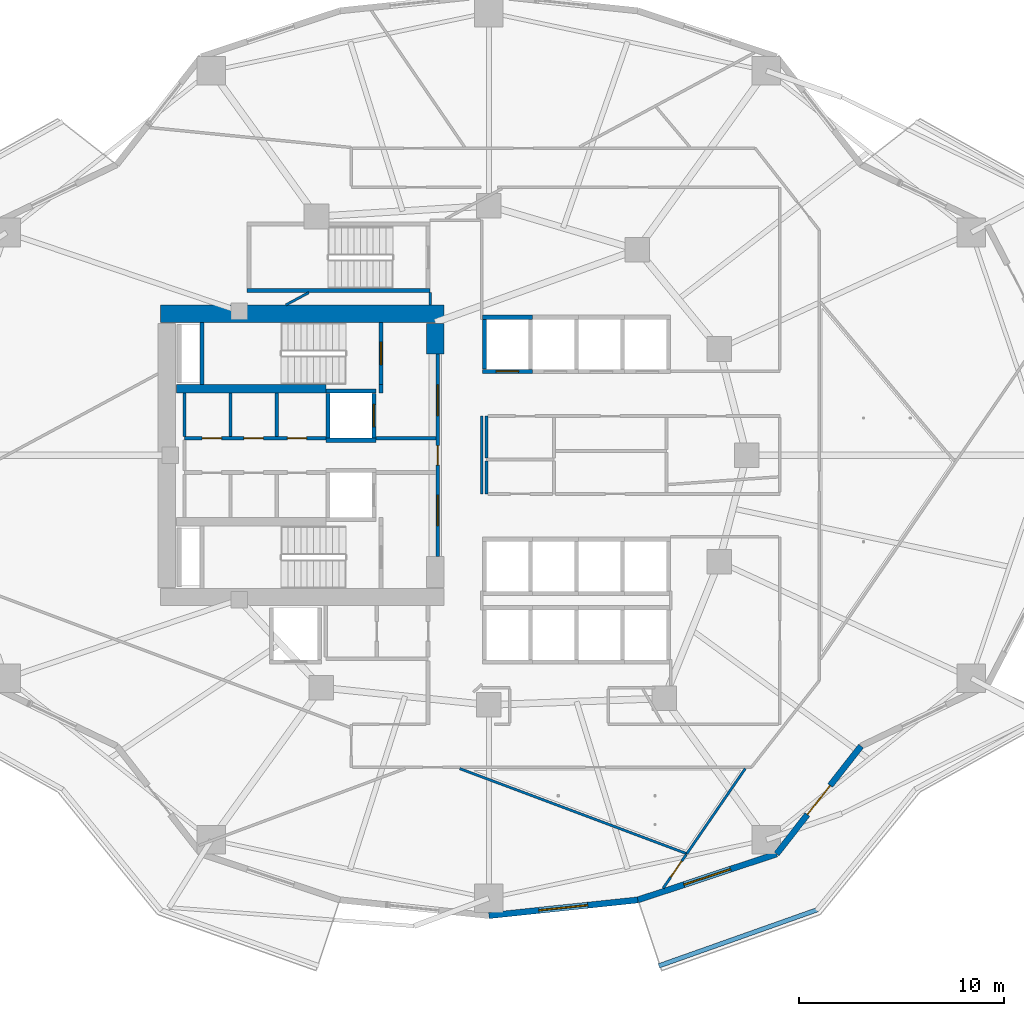
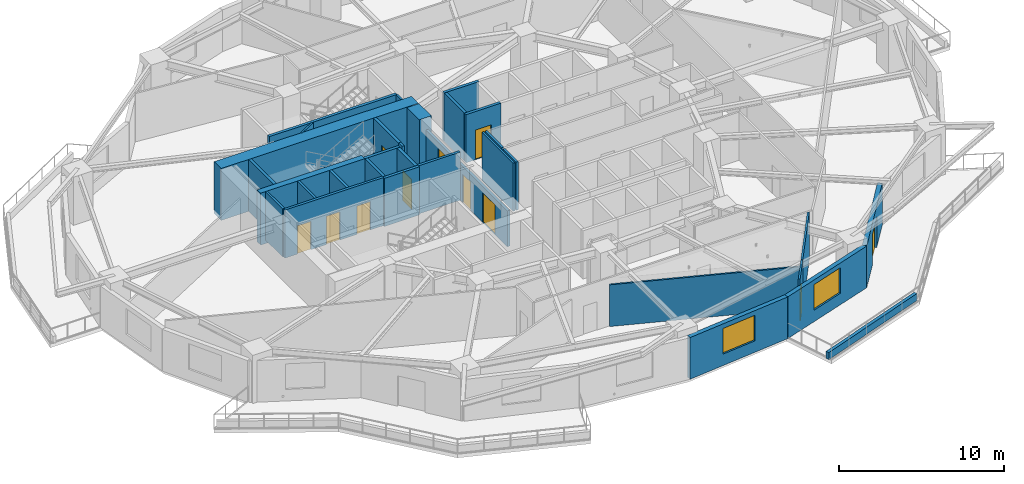
# One storey, part 4 of 16: 32 walls, 11 doors, 2 windows, 13 openings.
"""IFC4 building model written with IfcOpenShell, lengths in metres."""

from ifc_helpers import new_model, si_unit, direction, frame, frame_2d, origin, place, context, subcontext, project, spatial, rectangle, extrude, material, layer, layer_set, type_object, element, fill, save


model = new_model("IFC4")

# Units and contexts
model_context = context("Model", 3, precision=1e-05, world=origin(), true_north=direction((0.0, 1.0)))
body_context = subcontext(model_context, "Body", "Model", "MODEL_VIEW")
ifc_project = project(units=[si_unit("LENGTHUNIT", "METRE"), si_unit("AREAUNIT", "SQUARE_METRE"), si_unit("VOLUMEUNIT", "CUBIC_METRE"), si_unit("PLANEANGLEUNIT", "RADIAN"), si_unit("MASSUNIT", "GRAM", prefix="KILO")], contexts=[model_context])

# Site, building, storey
site_placement = place(None, origin())
site = spatial("IfcSite", under=ifc_project, at=site_placement, CompositionType="ELEMENT")
building_placement = place(site_placement, origin())
building = spatial("IfcBuilding", under=site, at=building_placement, Name="Kolvaren Gate Tower and Convention Centre", CompositionType="ELEMENT")
storey_placement = place(building_placement, frame((0.0, 0.0, 34.199951171875)))
storey = spatial("IfcBuildingStorey", under=building, at=storey_placement, Name="L07", CompositionType="ELEMENT", Elevation=34.199951171875)

# Wall
ifc_material_1 = material(Name="Autoclaved Aerated Masonry Blockwork Class 4 (4.0 MPa)", Category="masonry")
ifc_layer_1 = layer(ifc_material_1, 0.179931640625)
ifc_layer_set_1 = layer_set([ifc_layer_1], Name="Autoclaved Aerated Masonry Blockwork Class 4 (4.0 MPa)")
wall_type_1 = type_object("IfcWallType", Name="ARCH-WL-COMP-180", PredefinedType="SOLIDWALL", material=ifc_layer_set_1)
wall_1_placement = place(storey_placement, frame((24.85009765625, 30.0400390625, 0.0), z_axis=(0.0, 0.0, 1.0), x_axis=(0.0, 1.0, 0.0)))
element("IfcWall", 1, at=wall_1_placement, inside=storey, type_object=wall_type_1, Name="Interior Partition WL-L07-INT-002", PredefinedType="SOLIDWALL", context=body_context, shape_type="SweptSolid", body=[
    extrude(rectangle(XDim=0.419921875, YDim=0.179931640625, at=frame_2d((0.2099609375, 0.0))), origin(), (0.0, 0.0, 1.0), 3.570068359375),
])

# Wall, openings, doors
wall_2_placement = place(storey_placement, frame((27.6201171875, 22.050048828125, 0.0), z_axis=(0.0, 0.0, 1.0), x_axis=(0.0, 1.0, 0.0)))
wall_2 = element("IfcWall", 2, at=wall_2_placement, inside=storey, type_object=wall_type_1, Name="Interior Partition WL-L07-INT-003", PredefinedType="SOLIDWALL", context=body_context, shape_type="SweptSolid", body=[
    extrude(rectangle(XDim=9.89990234375, YDim=0.179931640625, at=frame_2d((4.949951171875, 0.0))), origin(), (0.0, 0.0, 1.0), 2.662109375),
])
opening_1_placement = place(wall_2_placement, frame((4.47509765625, 0.0, 0.0)))
opening_1 = element("IfcOpeningElement", 3, at=opening_1_placement, cuts=wall_2, Name="Opening DR-01", PredefinedType="OPENING", context=body_context, shape_type="SweptSolid", body=[
    extrude(rectangle(XDim=0.949951171875, YDim=2.10009765625, at=frame_2d((0.47509765625, 1.050048828125))), frame((0.0, 0.099853515625, 0.0), z_axis=(0.0, -1.0, 0.0), x_axis=(1.0, 0.0, 0.0)), (0.0, 0.0, 1.0), 0.199951171875),
])
opening_2_placement = place(wall_2_placement, frame((6.889892578125, 0.0, 0.0)))
opening_2 = element("IfcOpeningElement", 4, at=opening_2_placement, cuts=wall_2, Name="Opening DL-01", PredefinedType="OPENING", context=body_context, shape_type="SweptSolid", body=[
    extrude(rectangle(XDim=1.5, YDim=2.199951171875, at=frame_2d((0.75, 1.10009765625))), frame((0.0, 0.099853515625, 0.0), z_axis=(0.0, -1.0, 0.0), x_axis=(1.0, 0.0, 0.0)), (0.0, 0.0, 1.0), 0.199951171875),
])
opening_3_placement = place(wall_2_placement, frame((1.510009765625, 0.0, 0.0)))
opening_3 = element("IfcOpeningElement", 5, at=opening_3_placement, cuts=wall_2, Name="Opening DL-01", PredefinedType="OPENING", context=body_context, shape_type="SweptSolid", body=[
    extrude(rectangle(XDim=1.5, YDim=2.199951171875, at=frame_2d((0.75, 1.10009765625))), frame((0.0, 0.099853515625, 0.0), z_axis=(0.0, -1.0, 0.0), x_axis=(1.0, 0.0, 0.0)), (0.0, 0.0, 1.0), 0.199951171875),
])
ifc_material_2 = material(Name="Painted Architectural Steelwork ASTM A500 Grade C 345 MPa", Category="steel")
door_type_1 = type_object("IfcDoorType", Name="ARCH-DR-LOBBY-1500", OperationType="DOUBLE_DOOR_SINGLE_SWING", PredefinedType="DOOR", material=ifc_material_2)
door_1_placement = place(opening_2_placement, origin())
door_1 = element("IfcDoor", 6, at=door_1_placement, inside=storey, type_object=door_type_1, Name="North Firefighting Stair and Lift Lobby Door", OperationType="DOUBLE_DOOR_SINGLE_SWING", OverallHeight=2.199951171875, OverallWidth=1.5, PredefinedType="DOOR", context=body_context, shape_type="SweptSolid", body=[
    extrude(rectangle(XDim=1.5, YDim=2.199951171875, at=frame_2d((0.75, 1.10009765625))), frame((0.0, 0.02490234375, 0.0), z_axis=(0.0, -1.0, 0.0), x_axis=(1.0, 0.0, 0.0)), (0.0, 0.0, 1.0), 0.050048828125),
])
fill(opening_2, door_1)
door_2_placement = place(opening_3_placement, origin())
door_2 = element("IfcDoor", 7, at=door_2_placement, inside=storey, type_object=door_type_1, Name="South Firefighting Stair and Lift Lobby Door", OperationType="DOUBLE_DOOR_SINGLE_SWING", OverallHeight=2.199951171875, OverallWidth=1.5, PredefinedType="DOOR", context=body_context, shape_type="SweptSolid", body=[
    extrude(rectangle(XDim=1.5, YDim=2.199951171875, at=frame_2d((0.75, 1.10009765625))), frame((0.0, 0.02490234375, 0.0), z_axis=(0.0, -1.0, 0.0), x_axis=(1.0, 0.0, 0.0)), (0.0, 0.0, 1.0), 0.050048828125),
])
fill(opening_3, door_2)
door_type_2 = type_object("IfcDoorType", Name="ARCH-DR-RISER-950", OperationType="SINGLE_SWING_RIGHT", PredefinedType="DOOR", material=ifc_material_2)
door_3_placement = place(opening_1_placement, origin())
door_3 = element("IfcDoor", 8, at=door_3_placement, inside=storey, type_object=door_type_2, Name="Central MEP Service Corridor Door", OperationType="SINGLE_SWING_RIGHT", OverallHeight=2.10009765625, OverallWidth=0.949951171875, PredefinedType="DOOR", context=body_context, shape_type="SweptSolid", body=[
    extrude(rectangle(XDim=0.949951171875, YDim=2.10009765625, at=frame_2d((0.47509765625, 1.050048828125))), frame((0.0, 0.02490234375, 0.0), z_axis=(0.0, -1.0, 0.0), x_axis=(1.0, 0.0, 0.0)), (0.0, 0.0, 1.0), 0.050048828125),
])
fill(opening_1, door_3)

wall_3_placement = place(storey_placement, frame((15.25, 27.840087890625, 0.0), z_axis=(0.0, 0.0, 1.0), x_axis=(1.0, 0.0, 0.0)))
wall_3 = element("IfcWall", 9, at=wall_3_placement, inside=storey, type_object=wall_type_1, Name="Interior Partition WL-L07-INT-004", PredefinedType="SOLIDWALL", context=body_context, shape_type="SweptSolid", body=[
    extrude(rectangle(XDim=6.89990234375, YDim=0.179931640625, at=frame_2d((3.449951171875, 0.0))), origin(), (0.0, 0.0, 1.0), 3.570068359375),
])
opening_4_placement = place(wall_3_placement, frame((5.02001953125, 0.0, 0.0)))
opening_4 = element("IfcOpeningElement", 10, at=opening_4_placement, cuts=wall_3, Name="Opening DR-01", PredefinedType="OPENING", context=body_context, shape_type="SweptSolid", body=[
    extrude(rectangle(XDim=0.949951171875, YDim=2.10009765625, at=frame_2d((0.47509765625, 1.050048828125))), frame((0.0, 0.099853515625, 0.0), z_axis=(0.0, -1.0, 0.0), x_axis=(1.0, 0.0, 0.0)), (0.0, 0.0, 1.0), 0.199951171875),
])
opening_5_placement = place(wall_3_placement, frame((0.85498046875, 0.0, 0.0)))
opening_5 = element("IfcOpeningElement", 11, at=opening_5_placement, cuts=wall_3, Name="Opening DR-01", PredefinedType="OPENING", context=body_context, shape_type="SweptSolid", body=[
    extrude(rectangle(XDim=0.949951171875, YDim=2.10009765625, at=frame_2d((0.47509765625, 1.050048828125))), frame((0.0, 0.099853515625, 0.0), z_axis=(0.0, -1.0, 0.0), x_axis=(1.0, 0.0, 0.0)), (0.0, 0.0, 1.0), 0.199951171875),
])
opening_6_placement = place(wall_3_placement, frame((2.89990234375, 0.0, 0.0)))
opening_6 = element("IfcOpeningElement", 12, at=opening_6_placement, cuts=wall_3, Name="Opening DR-01", PredefinedType="OPENING", context=body_context, shape_type="SweptSolid", body=[
    extrude(rectangle(XDim=0.949951171875, YDim=2.10009765625, at=frame_2d((0.47509765625, 1.050048828125))), frame((0.0, 0.099853515625, 0.0), z_axis=(0.0, -1.0, 0.0), x_axis=(1.0, 0.0, 0.0)), (0.0, 0.0, 1.0), 0.199951171875),
])
door_4_placement = place(opening_4_placement, origin())
door_4 = element("IfcDoor", 13, at=door_4_placement, inside=storey, type_object=door_type_2, Name="Electrical Switchgear Closet Door", OperationType="SINGLE_SWING_LEFT", OverallHeight=2.10009765625, OverallWidth=0.949951171875, PredefinedType="DOOR", context=body_context, shape_type="SweptSolid", body=[
    extrude(rectangle(XDim=0.949951171875, YDim=2.10009765625, at=frame_2d((0.47509765625, 1.050048828125))), frame((0.0, 0.02490234375, 0.0), z_axis=(0.0, -1.0, 0.0), x_axis=(1.0, 0.0, 0.0)), (0.0, 0.0, 1.0), 0.050048828125),
])
fill(opening_4, door_4)
door_5_placement = place(opening_5_placement, origin())
door_5 = element("IfcDoor", 14, at=door_5_placement, inside=storey, type_object=door_type_2, Name="Staff Accessible WC Door", OperationType="SINGLE_SWING_LEFT", OverallHeight=2.10009765625, OverallWidth=0.949951171875, PredefinedType="DOOR", context=body_context, shape_type="SweptSolid", body=[
    extrude(rectangle(XDim=0.949951171875, YDim=2.10009765625, at=frame_2d((0.47509765625, 1.050048828125))), frame((0.0, 0.02490234375, 0.0), z_axis=(0.0, -1.0, 0.0), x_axis=(1.0, 0.0, 0.0)), (0.0, 0.0, 1.0), 0.050048828125),
])
fill(opening_5, door_5)
door_6_placement = place(opening_6_placement, origin())
door_6 = element("IfcDoor", 15, at=door_6_placement, inside=storey, type_object=door_type_2, Name="Housekeeping Sink Closet Door", OperationType="SINGLE_SWING_RIGHT", OverallHeight=2.10009765625, OverallWidth=0.949951171875, PredefinedType="DOOR", context=body_context, shape_type="SweptSolid", body=[
    extrude(rectangle(XDim=0.949951171875, YDim=2.10009765625, at=frame_2d((0.47509765625, 1.050048828125))), frame((0.0, 0.02490234375, 0.0), z_axis=(0.0, -1.0, 0.0), x_axis=(1.0, 0.0, 0.0)), (0.0, 0.0, 1.0), 0.050048828125),
])
fill(opening_6, door_6)

# Walls
wall_4_placement = place(storey_placement, frame((24.60009765625, 27.840087890625, 0.0), z_axis=(0.0, 0.0, 1.0), x_axis=(1.0, 0.0, 0.0)))
element("IfcWall", 16, at=wall_4_placement, inside=storey, type_object=wall_type_1, Name="Interior Partition WL-L07-INT-004 (2)", PredefinedType="SOLIDWALL", context=body_context, shape_type="SweptSolid", body=[
    extrude(rectangle(XDim=2.927978515625, YDim=0.179931640625, at=frame_2d((1.4638671875, 0.0))), origin(), (0.0, 0.0, 1.0), 3.570068359375),
])
wall_5_placement = place(storey_placement, frame((19.75, 27.931884765625, 0.0), z_axis=(0.0, 0.0, 1.0), x_axis=(0.0, 1.0, 0.0)))
element("IfcWall", 17, at=wall_5_placement, inside=storey, type_object=wall_type_1, Name="Interior Partition WL-L07-INT-008", PredefinedType="SOLIDWALL", context=body_context, shape_type="SweptSolid", body=[
    extrude(rectangle(XDim=2.106201171875, YDim=0.179931640625, at=frame_2d((1.05322265625, 0.0))), origin(), (0.0, 0.0, 1.0), 3.570068359375),
])
ifc_material_3 = material(Name="Fire-Rated Acoustic Gypsum Stud Partition", Category="gypsum")
ifc_layer_2 = layer(ifc_material_3, 0.1201171875)
ifc_layer_set_2 = layer_set([ifc_layer_2], Name="Fire-Rated Acoustic Gypsum Stud Partition")
wall_type_2 = type_object("IfcWallType", Name="ARCH-WL-PART-120", PredefinedType="PARTITIONING", material=ifc_layer_set_2)
wall_6_placement = place(storey_placement, frame((29.780029296875, 25.1201171875, 0.0), z_axis=(0.0, 0.0, 1.0), x_axis=(0.0, 1.0, 0.0)))
element("IfcWall", 18, at=wall_6_placement, inside=storey, type_object=wall_type_2, Name="Interior Partition WL-L07-INT-023", PredefinedType="PARTITIONING", context=body_context, shape_type="SweptSolid", body=[
    extrude(rectangle(XDim=3.7998046875, YDim=0.1201171875, at=frame_2d((1.89990234375, 0.0))), origin(), (0.0, 0.0, 1.0), 3.570068359375),
])
wall_7_placement = place(storey_placement, frame((27.25, 34.35205078125, 0.0), z_axis=(0.0, 0.0, 1.0), x_axis=(0.0, 1.0, 0.0)))
element("IfcWall", 19, at=wall_7_placement, inside=storey, type_object=wall_type_2, Name="Interior Partition WL-L07-INT-041", PredefinedType="PARTITIONING", context=body_context, shape_type="SweptSolid", body=[
    extrude(rectangle(XDim=0.60595703125, YDim=0.1201171875, at=frame_2d((0.302978515625, 0.0))), origin(), (0.0, 0.0, 1.0), 3.570068359375),
])
wall_8_placement = place(storey_placement, frame((20.198974609375, 34.35205078125, 0.0), z_axis=(0.0, 0.0, 1.0), x_axis=(0.880495630453, 0.474054263511, 0.0)))
element("IfcWall", 20, at=wall_8_placement, inside=storey, type_object=wall_type_2, Name="Interior Partition WL-L07-INT-051", PredefinedType="PARTITIONING", context=body_context, shape_type="SweptSolid", body=[
    extrude(rectangle(XDim=1.2783203125, YDim=0.1201171875, at=frame_2d((0.63916015625, 0.0))), origin(), (0.0, 0.0, 1.0), 3.570068359375),
])
wall_9_placement = place(storey_placement, frame((28.701904296875, 11.68798828125, 0.0), z_axis=(0.0, 0.0, 1.0), x_axis=(0.936344412232, -0.351082813139, 0.0)))
element("IfcWall", 21, at=wall_9_placement, inside=storey, type_object=wall_type_2, Name="Interior Partition WL-L07-INT-055", PredefinedType="PARTITIONING", context=body_context, shape_type="SweptSolid", body=[
    extrude(rectangle(XDim=11.853759765625, YDim=0.1201171875, at=frame_2d((5.9267578125, 0.0))), origin(), (0.0, 0.0, 1.0), 3.093017578125),
])

# Wall, opening, door
wall_10_placement = place(storey_placement, frame((38.64208984375, 5.8369140625, 0.0), z_axis=(0.0, 0.0, 1.0), x_axis=(0.565776914944, 0.82455835604, 0.0)))
wall_10 = element("IfcWall", 22, at=wall_10_placement, inside=storey, type_object=wall_type_2, Name="Interior Partition WL-L07-INT-057", PredefinedType="PARTITIONING", context=body_context, shape_type="SweptSolid", body=[
    extrude(rectangle(XDim=1.98486328125, YDim=0.1201171875, at=frame_2d((0.992431640625, 0.0))), origin(), (0.0, 0.0, 1.0), 3.570068359375),
])
opening_7_placement = place(wall_10_placement, frame((0.657470703125, 0.0, 0.0)))
opening_7 = element("IfcOpeningElement", 23, at=opening_7_placement, cuts=wall_10, Name="Opening DI-01", PredefinedType="OPENING", context=body_context, shape_type="SweptSolid", body=[
    extrude(rectangle(XDim=0.949951171875, YDim=2.10009765625, at=frame_2d((0.47509765625, 1.050048828125))), frame((0.0, 0.070068359375, 0.0), z_axis=(0.0, -1.0, 0.0), x_axis=(1.0, 0.0, 0.0)), (0.0, 0.0, 1.0), 0.14013671875),
])
ifc_material_4 = material(Name="FSC Andean Oak Engineered Veneer Door Leaf", Category="wood")
door_type_3 = type_object("IfcDoorType", Name="ARCH-DR-INT-950", OperationType="SINGLE_SWING_LEFT", PredefinedType="DOOR", material=ifc_material_4)
door_7_placement = place(opening_7_placement, origin())
door_7 = element("IfcDoor", 24, at=door_7_placement, inside=storey, type_object=door_type_3, Name="Conference and Training Seminar Room Door", OperationType="SINGLE_SWING_LEFT", OverallHeight=2.10009765625, OverallWidth=0.949951171875, PredefinedType="DOOR", context=body_context, shape_type="SweptSolid", body=[
    extrude(rectangle(XDim=0.949951171875, YDim=2.10009765625, at=frame_2d((0.47509765625, 1.050048828125))), frame((0.0, 0.02490234375, 0.0), z_axis=(0.0, -1.0, 0.0), x_axis=(1.0, 0.0, 0.0)), (0.0, 0.0, 1.0), 0.050048828125),
])
fill(opening_7, door_7)

# Walls
wall_11_placement = place(storey_placement, frame((39.80078125, 7.52587890625, 0.0), z_axis=(0.0, 0.0, 1.0), x_axis=(0.565756744253, 0.824572195949, 0.0)))
element("IfcWall", 25, at=wall_11_placement, inside=storey, type_object=wall_type_2, Name="Interior Partition WL-L07-INT-057 (2)", PredefinedType="PARTITIONING", context=body_context, shape_type="SweptSolid", body=[
    extrude(rectangle(XDim=5.047607421875, YDim=0.1201171875, at=frame_2d((2.52392578125, 0.0))), origin(), (0.0, 0.0, 1.0), 3.570068359375),
])
ifc_material_5 = material(Name="Piedmont Cream Honed Limestone Cladding", Category="masonry")
ifc_layer_3 = layer(ifc_material_5, 0.219970703125)
ifc_layer_set_3 = layer_set([ifc_layer_3], Name="Piedmont Cream Honed Limestone Cladding")
wall_type_3 = type_object("IfcWallType", Name="ARCH-WL-PLANTER-220", PredefinedType="PARAPET", material=ifc_layer_set_3)
wall_12_placement = place(storey_placement, frame((38.43798828125, 2.044921875, 0.0), z_axis=(0.0, 0.0, 1.0), x_axis=(0.942581348797, 0.333976647237, 0.0)))
element("IfcWall", 26, at=wall_12_placement, inside=storey, type_object=wall_type_3, Name="Vertical-Forest Balcony Stone Planter Kerb PK-L07-4.1", PredefinedType="PARAPET", context=body_context, shape_type="SweptSolid", body=[
    extrude(rectangle(XDim=8.235595703125, YDim=0.219970703125, at=frame_2d((4.11767578125, 0.0))), origin(), (0.0, 0.0, 1.0), 0.52001953125),
])
ifc_layer_4 = layer(ifc_material_1, 0.199951171875)
ifc_layer_set_4 = layer_set([ifc_layer_4], Name="Autoclaved Aerated Masonry Blockwork Class 4 (4.0 MPa)")
wall_type_4 = type_object("IfcWallType", Name="ARCH-WL-SHAFT-200", PredefinedType="SOLIDWALL", material=ifc_layer_set_4)
for number, where, z_axis, x_axis, name in (
    (27, (22.14990234375, 30.139892578125, 0.0), (0.0, 0.0, 1.0), (1.0, 0.0, 0.0), "Elevator FF-01 L07 Fire Shaft Wall N"),
    (28, (22.14990234375, 27.739990234375, 0.0), (0.0, 0.0, 1.0), (1.0, 0.0, 0.0), "Elevator FF-01 L07 Fire Shaft Wall S"),
):
    element("IfcWall", number, at=place(storey_placement, frame(where, z_axis=z_axis, x_axis=x_axis)), inside=storey, type_object=wall_type_4, Name=name, PredefinedType="SOLIDWALL", context=body_context, shape_type="SweptSolid", body=[
        extrude(rectangle(XDim=2.4501953125, YDim=0.199951171875, at=frame_2d((1.22509765625, 0.0))), origin(), (0.0, 0.0, 1.0), 3.570068359375),
    ])
wall_13_placement = place(storey_placement, frame((22.25, 27.85009765625, 0.0), z_axis=(0.0, 0.0, 1.0), x_axis=(0.0, 1.0, 0.0)))
element("IfcWall", 29, at=wall_13_placement, inside=storey, type_object=wall_type_4, Name="Elevator FF-01 L07 Fire Shaft Wall W", PredefinedType="SOLIDWALL", context=body_context, shape_type="SweptSolid", body=[
    extrude(rectangle(XDim=2.179931640625, YDim=0.199951171875, at=frame_2d((1.08984375, 0.0))), origin(), (0.0, 0.0, 1.0), 3.570068359375),
])

# Wall, opening, door
wall_14_placement = place(storey_placement, frame((24.5, 27.85009765625, 0.0), z_axis=(0.0, 0.0, 1.0), x_axis=(0.0, 1.0, 0.0)))
wall_14 = element("IfcWall", 30, at=wall_14_placement, inside=storey, type_object=wall_type_4, Name="Elevator FF-01 L07 Fire Shaft Wall E", PredefinedType="SOLIDWALL", context=body_context, shape_type="SweptSolid", body=[
    extrude(rectangle(XDim=2.179931640625, YDim=0.199951171875, at=frame_2d((1.08984375, 0.0))), origin(), (0.0, 0.0, 1.0), 3.570068359375),
])
opening_8_placement = place(wall_14_placement, frame((0.5400390625, 0.0, 0.0)))
opening_8 = element("IfcOpeningElement", 31, at=opening_8_placement, cuts=wall_14, Name="Opening LD", PredefinedType="OPENING", context=body_context, shape_type="SweptSolid", body=[
    extrude(rectangle(XDim=1.10009765625, YDim=2.199951171875, at=frame_2d((0.550048828125, 1.10009765625))), frame((0.0, 0.10986328125, 0.0), z_axis=(0.0, -1.0, 0.0), x_axis=(1.0, 0.0, 0.0)), (0.0, 0.0, 1.0), 0.219970703125),
])
ifc_material_6 = material(Name="Brushed Stainless Steel Grade 316L", Category="steel")
door_type_4 = type_object("IfcDoorType", Name="ARCH-DR-LIFT-1100", OperationType="SLIDING_TO_LEFT", PredefinedType="DOOR", material=ifc_material_6)
door_8_placement = place(opening_8_placement, origin())
door_8 = element("IfcDoor", 32, at=door_8_placement, inside=storey, type_object=door_type_4, Name="Elevator FF-01 L07 Sliding Landing Door", OperationType="SLIDING_TO_LEFT", OverallHeight=2.199951171875, OverallWidth=1.10009765625, PredefinedType="DOOR", context=body_context, shape_type="SweptSolid", body=[
    extrude(rectangle(XDim=1.10009765625, YDim=2.199951171875, at=frame_2d((0.550048828125, 1.10009765625))), frame((0.0, 0.02490234375, 0.0), z_axis=(0.0, -1.0, 0.0), x_axis=(1.0, 0.0, 0.0)), (0.0, 0.0, 1.0), 0.050048828125),
])
fill(opening_8, door_8)

# Wall
wall_15_placement = place(storey_placement, frame((29.800048828125, 33.75, 0.0), z_axis=(0.0, 0.0, 1.0), x_axis=(1.0, 0.0, 0.0)))
element("IfcWall", 33, at=wall_15_placement, inside=storey, type_object=wall_type_4, Name="Elevator PL-01 L07 Fire Shaft Wall N", PredefinedType="SOLIDWALL", context=body_context, shape_type="SweptSolid", body=[
    extrude(rectangle(XDim=2.449951171875, YDim=0.199951171875, at=frame_2d((1.22509765625, 0.0))), origin(), (0.0, 0.0, 1.0), 3.570068359375),
])

# Wall, opening, door
wall_16_placement = place(storey_placement, frame((29.800048828125, 31.10009765625, 0.0), z_axis=(0.0, 0.0, 1.0), x_axis=(1.0, 0.0, 0.0)))
wall_16 = element("IfcWall", 34, at=wall_16_placement, inside=storey, type_object=wall_type_4, Name="Elevator PL-01 L07 Fire Shaft Wall S", PredefinedType="SOLIDWALL", context=body_context, shape_type="SweptSolid", body=[
    extrude(rectangle(XDim=2.449951171875, YDim=0.199951171875, at=frame_2d((1.22509765625, 0.0))), origin(), (0.0, 0.0, 1.0), 3.570068359375),
])
opening_9_placement = place(wall_16_placement, frame((0.675048828125, 0.0, 0.0)))
opening_9 = element("IfcOpeningElement", 35, at=opening_9_placement, cuts=wall_16, Name="Opening LD", PredefinedType="OPENING", context=body_context, shape_type="SweptSolid", body=[
    extrude(rectangle(XDim=1.10009765625, YDim=2.199951171875, at=frame_2d((0.550048828125, 1.10009765625))), frame((0.0, 0.10986328125, 0.0), z_axis=(0.0, -1.0, 0.0), x_axis=(1.0, 0.0, 0.0)), (0.0, 0.0, 1.0), 0.219970703125),
])
door_9_placement = place(opening_9_placement, origin())
door_9 = element("IfcDoor", 36, at=door_9_placement, inside=storey, type_object=door_type_4, Name="Elevator PL-01 L07 Sliding Landing Door", OperationType="SLIDING_TO_LEFT", OverallHeight=2.199951171875, OverallWidth=1.10009765625, PredefinedType="DOOR", context=body_context, shape_type="SweptSolid", body=[
    extrude(rectangle(XDim=1.10009765625, YDim=2.199951171875, at=frame_2d((0.550048828125, 1.10009765625))), frame((0.0, 0.02490234375, 0.0), z_axis=(0.0, -1.0, 0.0), x_axis=(1.0, 0.0, 0.0)), (0.0, 0.0, 1.0), 0.050048828125),
])
fill(opening_9, door_9)

# Wall
wall_17_placement = place(storey_placement, frame((29.89990234375, 31.2099609375, 0.0), z_axis=(0.0, 0.0, 1.0), x_axis=(0.0, 1.0, 0.0)))
element("IfcWall", 37, at=wall_17_placement, inside=storey, type_object=wall_type_4, Name="Elevator PL-01 L07 Fire Shaft Wall W", PredefinedType="SOLIDWALL", context=body_context, shape_type="SweptSolid", body=[
    extrude(rectangle(XDim=2.429931640625, YDim=0.199951171875, at=frame_2d((1.21484375, 0.0))), origin(), (0.0, 0.0, 1.0), 3.570068359375),
])

# Wall, opening, window
ifc_layer_5 = layer(ifc_material_5, 0.300048828125)
ifc_layer_set_5 = layer_set([ifc_layer_5], Name="Piedmont Cream Honed Limestone Cladding")
wall_type_5 = type_object("IfcWallType", Name="ARCH-WL-STONE-300", PredefinedType="SOLIDWALL", material=ifc_layer_set_5)
wall_18_placement = place(storey_placement, frame((30.125, 4.5, 0.0), z_axis=(0.0, 0.0, 1.0), x_axis=(0.994500334317, 0.104733399844, 0.0)))
wall_18 = element("IfcWall", 38, at=wall_18_placement, inside=storey, type_object=wall_type_5, Name="Tower L07 Honed Stone Spandrel Wall EW-18", PredefinedType="SOLIDWALL", context=body_context, shape_type="SweptSolid", body=[
    extrude(rectangle(XDim=7.319580078125, YDim=0.300048828125, at=frame_2d((3.65966796875, 0.0))), origin(), (0.0, 0.0, 1.0), 3.093017578125),
])
opening_10_placement = place(wall_18_placement, frame((2.4599609375, 0.0, 0.85009765625)))
opening_10 = element("IfcOpeningElement", 39, at=opening_10_placement, cuts=wall_18, Name="Opening W-01", PredefinedType="OPENING", context=body_context, shape_type="SweptSolid", body=[
    extrude(rectangle(XDim=2.39990234375, YDim=1.89990234375, at=frame_2d((1.199951171875, 0.949951171875))), frame((0.0, 0.159912109375, 0.0), z_axis=(0.0, -1.0, 0.0), x_axis=(1.0, 0.0, 0.0)), (0.0, 0.0, 1.0), 0.320068359375),
])
ifc_material_7 = material(Name="Low-E Triple Insulated Glazing Unit 44 mm", Category="glass")
window_type = type_object("IfcWindowType", Name="ARCH-WN-OFF-2400", PartitioningType="SINGLE_PANEL", PredefinedType="WINDOW", material=ifc_material_7)
window_1_placement = place(opening_10_placement, origin())
window_1 = element("IfcWindow", 40, at=window_1_placement, inside=storey, type_object=window_type, Name="Tower L07 Punched Stone Facade Window W-18", OverallHeight=1.89990234375, OverallWidth=2.39990234375, PartitioningType="SINGLE_PANEL", PredefinedType="WINDOW", context=body_context, shape_type="SweptSolid", body=[
    extrude(rectangle(XDim=2.39990234375, YDim=1.89990234375, at=frame_2d((1.199951171875, 0.949951171875))), frame((0.0, 0.030029296875, 0.0), z_axis=(0.0, -1.0, 0.0), x_axis=(1.0, 0.0, 0.0)), (0.0, 0.0, 1.0), 0.06005859375),
])
fill(opening_10, window_1)

wall_19_placement = place(storey_placement, frame((37.404296875, 5.2666015625, 0.0), z_axis=(0.0, 0.0, 1.0), x_axis=(0.949238715533, 0.31455661006, 0.0)))
wall_19 = element("IfcWall", 41, at=wall_19_placement, inside=storey, type_object=wall_type_5, Name="Tower L07 Honed Stone Spandrel Wall EW-19", PredefinedType="SOLIDWALL", context=body_context, shape_type="SweptSolid", body=[
    extrude(rectangle(XDim=7.14599609375, YDim=0.300048828125, at=frame_2d((3.572998046875, 0.0))), origin(), (0.0, 0.0, 1.0), 3.093017578125),
])
opening_11_placement = place(wall_19_placement, frame((2.373046875, 0.0, 0.85009765625)))
opening_11 = element("IfcOpeningElement", 42, at=opening_11_placement, cuts=wall_19, Name="Opening W-01", PredefinedType="OPENING", context=body_context, shape_type="SweptSolid", body=[
    extrude(rectangle(XDim=2.39990234375, YDim=1.89990234375, at=frame_2d((1.199951171875, 0.949951171875))), frame((0.0, 0.159912109375, 0.0), z_axis=(0.0, -1.0, 0.0), x_axis=(1.0, 0.0, 0.0)), (0.0, 0.0, 1.0), 0.320068359375),
])
window_2_placement = place(opening_11_placement, origin())
window_2 = element("IfcWindow", 43, at=window_2_placement, inside=storey, type_object=window_type, Name="Tower L07 Punched Stone Facade Window W-19", OverallHeight=1.89990234375, OverallWidth=2.39990234375, PartitioningType="SINGLE_PANEL", PredefinedType="WINDOW", context=body_context, shape_type="SweptSolid", body=[
    extrude(rectangle(XDim=2.39990234375, YDim=1.89990234375, at=frame_2d((1.199951171875, 0.949951171875))), frame((0.0, 0.030029296875, 0.0), z_axis=(0.0, -1.0, 0.0), x_axis=(1.0, 0.0, 0.0)), (0.0, 0.0, 1.0), 0.06005859375),
])
fill(opening_11, window_2)

# Wall, opening, door
wall_20_placement = place(storey_placement, frame((44.1875, 7.514404296875, 0.0), z_axis=(0.0, 0.0, 1.0), x_axis=(0.616421309777, 0.787416515482, 0.0)))
wall_20 = element("IfcWall", 44, at=wall_20_placement, inside=storey, type_object=wall_type_5, Name="Tower L07 Honed Stone Spandrel Wall EW-20", PredefinedType="SOLIDWALL", context=body_context, shape_type="SweptSolid", body=[
    extrude(rectangle(XDim=6.6962890625, YDim=0.300048828125, at=frame_2d((3.34814453125, 0.0))), origin(), (0.0, 0.0, 1.0), 3.093017578125),
])
opening_12_placement = place(wall_20_placement, frame((2.447998046875, 0.0, 0.0)))
opening_12 = element("IfcOpeningElement", 45, at=opening_12_placement, cuts=wall_20, Name="Opening DB-01", PredefinedType="OPENING", context=body_context, shape_type="SweptSolid", body=[
    extrude(rectangle(XDim=1.800048828125, YDim=2.25, at=frame_2d((0.89990234375, 1.125))), frame((0.0, 0.159912109375, 0.0), z_axis=(0.0, -1.0, 0.0), x_axis=(1.0, 0.0, 0.0)), (0.0, 0.0, 1.0), 0.320068359375),
])
ifc_material_8 = material(Name="Anodized Architectural Aluminium Alloy 6063-T6", Category="aluminium")
door_type_5 = type_object("IfcDoorType", Name="ARCH-DR-BALC-1800", OperationType="SLIDING_TO_LEFT", PredefinedType="DOOR", material=ifc_material_8)
door_10_placement = place(opening_12_placement, frame((1.800048828125, 0.0, 0.0), z_axis=(0.0, 0.0, 1.0), x_axis=(-1.0, 0.0, 0.0)))
door_10 = element("IfcDoor", 46, at=door_10_placement, inside=storey, type_object=door_type_5, Name="Planted Sky Terrace Access Door DB-L07-20", OperationType="SLIDING_TO_LEFT", OverallHeight=2.25, OverallWidth=1.800048828125, PredefinedType="DOOR", context=body_context, shape_type="SweptSolid", body=[
    extrude(rectangle(XDim=1.800048828125, YDim=2.25, at=frame_2d((0.89990234375, 1.125))), frame((0.0, 0.02490234375, 0.0), z_axis=(0.0, -1.0, 0.0), x_axis=(1.0, 0.0, 0.0)), (0.0, 0.0, 1.0), 0.050048828125),
])
fill(opening_12, door_10)

# Walls
ifc_material_9 = material(Name="Moisture-Resistant Cement-Board Acoustic Partition", Category="gypsum")
ifc_layer_6 = layer(ifc_material_9, 0.14990234375)
ifc_layer_set_6 = layer_set([ifc_layer_6], Name="Moisture-Resistant Cement-Board Acoustic Partition")
wall_type_6 = type_object("IfcWallType", Name="ARCH-WL-WET-150", PredefinedType="PARTITIONING", material=ifc_layer_set_6)
for number, where, z_axis, x_axis, name in (
    (47, (15.25, 27.931884765625, 0.0), (0.0, 0.0, 1.0), (0.0, 1.0, 0.0), "Interior Partition WL-L07-INT-006 (3)"),
    (48, (17.5, 27.931884765625, 0.0), (0.0, 0.0, 1.0), (0.0, 1.0, 0.0), "Interior Partition WL-L07-INT-010"),
):
    element("IfcWall", number, at=place(storey_placement, frame(where, z_axis=z_axis, x_axis=x_axis)), inside=storey, type_object=wall_type_6, Name=name, PredefinedType="PARTITIONING", context=body_context, shape_type="SweptSolid", body=[
        extrude(rectangle(XDim=2.106201171875, YDim=0.14990234375, at=frame_2d((1.05322265625, 0.0))), origin(), (0.0, 0.0, 1.0), 3.570068359375),
    ])
wall_21_placement = place(storey_placement, frame((30.0, 25.1201171875, 0.0), z_axis=(0.0, 0.0, 1.0), x_axis=(0.0, 1.0, 0.0)))
element("IfcWall", 49, at=wall_21_placement, inside=storey, type_object=wall_type_6, Name="Interior Partition WL-L07-INT-016", PredefinedType="PARTITIONING", context=body_context, shape_type="SweptSolid", body=[
    extrude(rectangle(XDim=1.602783203125, YDim=0.14990234375, at=frame_2d((0.80126953125, 0.0))), origin(), (0.0, 0.0, 1.0), 3.570068359375),
])
wall_22_placement = place(storey_placement, frame((30.0, 26.876953125, 0.0), z_axis=(0.0, 0.0, 1.0), x_axis=(0.0, 1.0, 0.0)))
element("IfcWall", 50, at=wall_22_placement, inside=storey, type_object=wall_type_6, Name="Interior Partition WL-L07-INT-016 (2)", PredefinedType="PARTITIONING", context=body_context, shape_type="SweptSolid", body=[
    extrude(rectangle(XDim=2.04296875, YDim=0.14990234375, at=frame_2d((1.021484375, 0.0))), origin(), (0.0, 0.0, 1.0), 3.570068359375),
])
ifc_material_10 = material(Name="Concrete C50/60", Category="concrete")
ifc_layer_7 = layer(ifc_material_10, 0.419921875)
ifc_layer_set_7 = layer_set([ifc_layer_7], Name="Concrete C50/60")
wall_type_7 = type_object("IfcWallType", Name="STR-WL-CONV-420", PredefinedType="SHEAR", material=ifc_layer_set_7)
wall_23_placement = place(storey_placement, frame((14.85009765625, 30.25, -0.280029296875), z_axis=(0.0, 0.0, 1.0), x_axis=(1.0, 0.0, 0.0)))
element("IfcWall", 51, at=wall_23_placement, inside=storey, type_object=wall_type_7, Name="Tower L07 Offset Core Shear Wall WN", PredefinedType="SHEAR", context=body_context, shape_type="SweptSolid", body=[
    extrude(rectangle(XDim=7.2998046875, YDim=0.419921875, at=frame_2d((3.64990234375, 0.0))), origin(), (0.0, 0.0, 1.0), 3.85009765625),
])
ifc_material_11 = material(Name="Concrete C70/85", Category="concrete")
ifc_layer_8 = layer(ifc_material_11, 0.85009765625)
ifc_layer_set_8 = layer_set([ifc_layer_8], Name="Concrete C70/85")
wall_type_8 = type_object("IfcWallType", Name="STR-WL-CORE-850", PredefinedType="SHEAR", material=ifc_layer_set_8)
wall_24_placement = place(storey_placement, frame((14.074951171875, 33.925048828125, -0.280029296875), z_axis=(0.0, 0.0, 1.0), x_axis=(1.0, 0.0, 0.0)))
element("IfcWall", 52, at=wall_24_placement, inside=storey, type_object=wall_type_8, Name="Tower L07 Offset Core Shear Wall N", PredefinedType="SHEAR", context=body_context, shape_type="SweptSolid", body=[
    extrude(rectangle(XDim=13.85009765625, YDim=0.85009765625, at=frame_2d((6.925048828125, 0.0))), origin(), (0.0, 0.0, 1.0), 3.85009765625),
])
wall_25_placement = place(storey_placement, frame((27.5, 31.949951171875, -0.280029296875), z_axis=(0.0, 0.0, 1.0), x_axis=(0.0, 1.0, 0.0)))
element("IfcWall", 53, at=wall_25_placement, inside=storey, type_object=wall_type_8, Name="Tower L07 Offset Core Shear Wall EN", PredefinedType="SHEAR", context=body_context, shape_type="SweptSolid", body=[
    extrude(rectangle(XDim=1.5, YDim=0.85009765625, at=frame_2d((0.75, 0.0))), origin(), (0.0, 0.0, 1.0), 3.85009765625),
])

# Wall, opening, door
ifc_layer_9 = layer(ifc_material_10, 0.199951171875)
ifc_layer_set_9 = layer_set([ifc_layer_9], Name="Concrete C50/60")
wall_type_9 = type_object("IfcWallType", Name="STR-WL-SHAFT-200", PredefinedType="SHEAR", material=ifc_layer_set_9)
wall_26_placement = place(storey_placement, frame((24.85009765625, 30.4599609375, -0.280029296875), z_axis=(0.0, 0.0, 1.0), x_axis=(0.0, 1.0, 0.0)))
wall_26 = element("IfcWall", 54, at=wall_26_placement, inside=storey, type_object=wall_type_9, Name="Tower North Exit Stair ST-T1 L07 Structural Shear Enclosure Wall NEAR", PredefinedType="SHEAR", context=body_context, shape_type="SweptSolid", body=[
    extrude(rectangle(XDim=3.0380859375, YDim=0.199951171875, at=frame_2d((1.51904296875, 0.0))), origin(), (0.0, 0.0, 1.0), 3.85009765625),
])
opening_13_placement = place(wall_26_placement, frame((0.968994140625, 0.0, 0.280029296875)))
opening_13 = element("IfcOpeningElement", 55, at=opening_13_placement, cuts=wall_26, Name="Opening DS-01", PredefinedType="OPENING", context=body_context, shape_type="SweptSolid", body=[
    extrude(rectangle(XDim=1.10009765625, YDim=2.14990234375, at=frame_2d((0.550048828125, 1.074951171875))), frame((0.0, 0.10986328125, 0.0), z_axis=(0.0, -1.0, 0.0), x_axis=(1.0, 0.0, 0.0)), (0.0, 0.0, 1.0), 0.219970703125),
])
door_type_6 = type_object("IfcDoorType", Name="ARCH-DR-STAIR-1100", OperationType="SINGLE_SWING_LEFT", PredefinedType="DOOR", material=ifc_material_2)
door_11_placement = place(opening_13_placement, origin())
door_11 = element("IfcDoor", 56, at=door_11_placement, inside=storey, type_object=door_type_6, Name="Tower North Exit Stair ST-T1 L07 Fire Exit Stair Door", OperationType="SINGLE_SWING_LEFT", OverallHeight=2.14990234375, OverallWidth=1.10009765625, PredefinedType="DOOR", context=body_context, shape_type="SweptSolid", body=[
    extrude(rectangle(XDim=1.10009765625, YDim=2.14990234375, at=frame_2d((0.550048828125, 1.074951171875))), frame((0.0, 0.02490234375, 0.0), z_axis=(0.0, -1.0, 0.0), x_axis=(1.0, 0.0, 0.0)), (0.0, 0.0, 1.0), 0.050048828125),
])
fill(opening_13, door_11)

# Walls
wall_27_placement = place(storey_placement, frame((16.10009765625, 30.4619140625, -0.280029296875), z_axis=(0.0, 0.0, 1.0), x_axis=(0.0, 1.0, 0.0)))
element("IfcWall", 57, at=wall_27_placement, inside=storey, type_object=wall_type_9, Name="Tower North Exit Stair ST-T1 L07 Structural Shear Enclosure Wall FAR", PredefinedType="SHEAR", context=body_context, shape_type="SweptSolid", body=[
    extrude(rectangle(XDim=3.0361328125, YDim=0.199951171875, at=frame_2d((1.51806640625, 0.0))), origin(), (0.0, 0.0, 1.0), 3.85009765625),
])
wall_28_placement = place(storey_placement, frame((18.300048828125, 35.06005859375, -0.280029296875), z_axis=(0.0, 0.0, 1.0), x_axis=(1.0, 0.0, 0.0)))
element("IfcWall", 58, at=wall_28_placement, inside=storey, type_object=wall_type_9, Name="Tower Mid-Zone Exit Stair ST-T3 L07 Structural Shear Enclosure Wall RGHT", PredefinedType="SHEAR", context=body_context, shape_type="SweptSolid", body=[
    extrude(rectangle(XDim=8.949951171875, YDim=0.199951171875, at=frame_2d((4.47509765625, 0.0))), origin(), (0.0, 0.0, 1.0), 3.85009765625),
])

save(model, "model.ifc")
